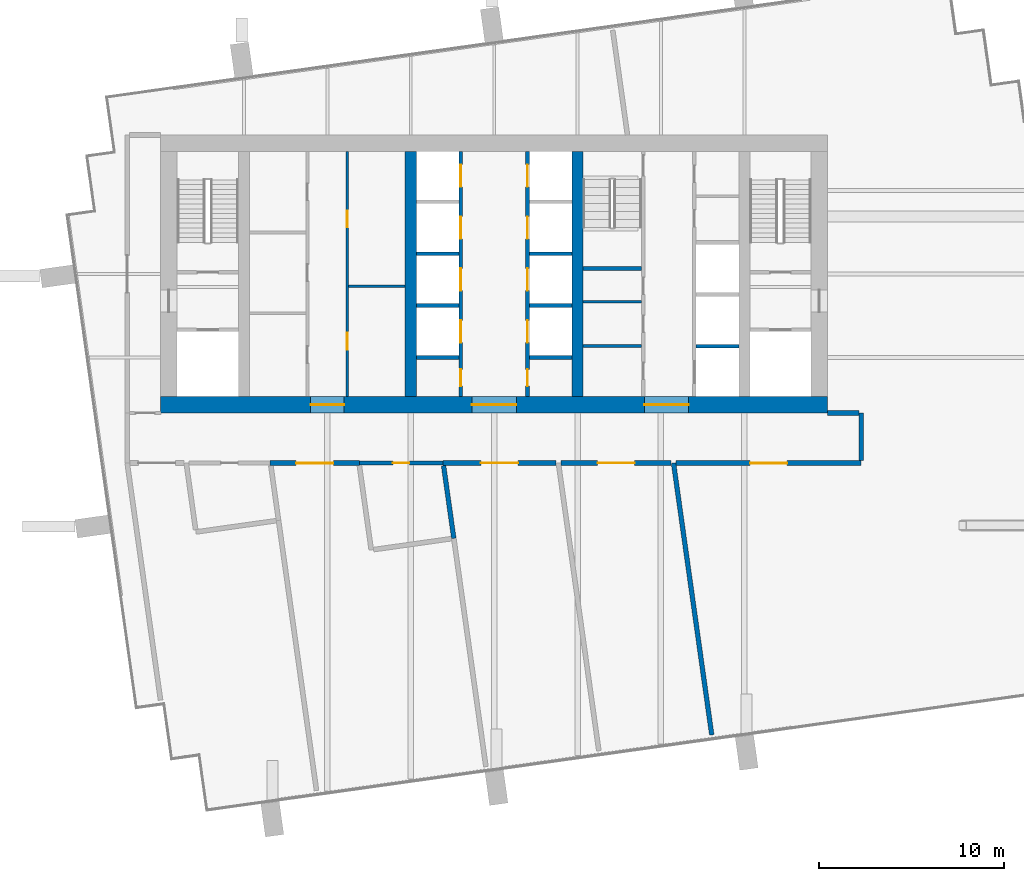
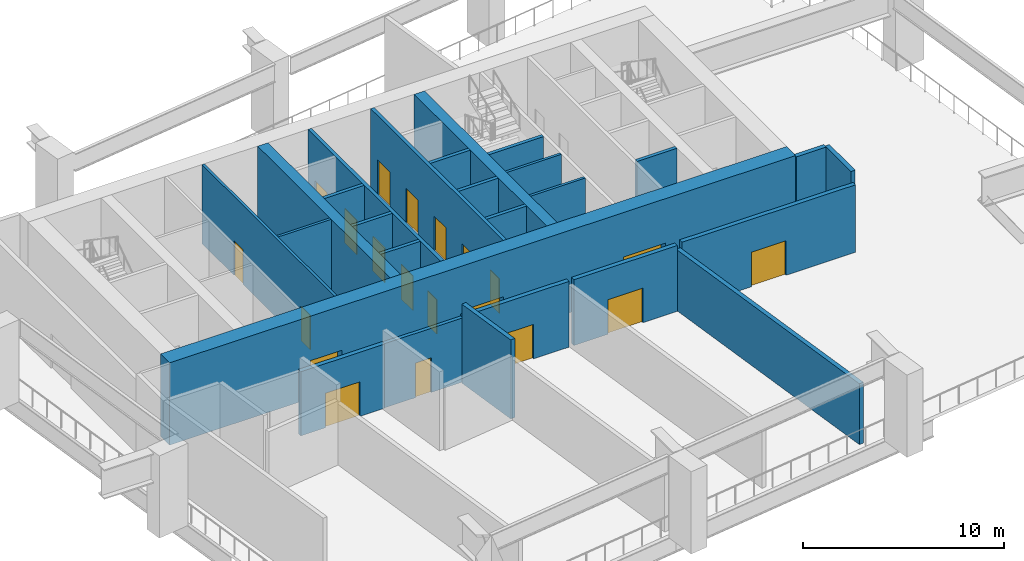
# One storey, part 3 of 10: 26 walls, 20 doors, 20 openings.
"""IFC4 building model written with IfcOpenShell, lengths in metres."""

from ifc_helpers import new_model, si_unit, direction, frame, frame_2d, origin, place, context, subcontext, project, spatial, rectangle, extrude, material, layer, layer_set, type_object, element, fill, save


model = new_model("IFC4")

# Units and contexts
model_context = context("Model", 3, precision=1e-05, world=origin(), true_north=direction((0.0, 1.0)))
body_context = subcontext(model_context, "Body", "Model", "MODEL_VIEW")
ifc_project = project(units=[si_unit("LENGTHUNIT", "METRE"), si_unit("AREAUNIT", "SQUARE_METRE"), si_unit("VOLUMEUNIT", "CUBIC_METRE"), si_unit("PLANEANGLEUNIT", "RADIAN"), si_unit("MASSUNIT", "GRAM", prefix="KILO")], contexts=[model_context])

# Site, building, storey
site_placement = place(None, origin())
site = spatial("IfcSite", under=ifc_project, at=site_placement, CompositionType="ELEMENT")
building_placement = place(site_placement, origin())
building = spatial("IfcBuilding", under=site, at=building_placement, Name="Rattan Terrace Tower", CompositionType="ELEMENT")
storey_placement = place(building_placement, frame((0.0, 0.0, 244.699951171875)))
storey = spatial("IfcBuildingStorey", under=building, at=storey_placement, Name="L56", CompositionType="ELEMENT", Elevation=244.699951171875)

# Wall, openings, doors
ifc_material_1 = material(Name="Gypsum board partition")
ifc_layer_1 = layer(ifc_material_1, 0.14990234375)
ifc_layer_set_1 = layer_set([ifc_layer_1], Name="Core partition 150")
wall_type_1 = type_object("IfcWallType", Name="Core partition 150", PredefinedType="PARTITIONING", material=ifc_layer_set_1)
wall_1_placement = place(storey_placement, frame((-7.925048828125, -6.60009765625, 0.0), z_axis=(0.0, 0.0, 1.0), x_axis=(0.0, 1.0, 0.0)))
wall_1 = element("IfcWall", 1, at=wall_1_placement, inside=storey, type_object=wall_type_1, Name="Core room wall", PredefinedType="PARTITIONING", context=body_context, shape_type="SweptSolid", body=[
    extrude(rectangle(XDim=13.2001953125, YDim=0.14990234375, at=frame_2d((6.60009765625, 0.0))), origin(), (0.0, 0.0, 1.0), 4.800048828125),
])
opening_1_placement = place(wall_1_placement, frame((2.52001953125, 0.0, 0.0)))
opening_1 = element("IfcOpeningElement", 2, at=opening_1_placement, cuts=wall_1, Name="Opening L56-D008", PredefinedType="OPENING", context=body_context, shape_type="SweptSolid", body=[
    extrude(rectangle(XDim=0.89990234375, YDim=2.10009765625, at=frame_2d((0.449951171875, 1.050048828125))), frame((0.0, 0.08544921875, 0.0), z_axis=(0.0, -1.0, 0.0), x_axis=(1.0, 0.0, 0.0)), (0.0, 0.0, 1.0), 0.1708984375),
])
opening_2_placement = place(wall_1_placement, frame((9.1201171875, 0.0, 0.0)))
opening_2 = element("IfcOpeningElement", 3, at=opening_2_placement, cuts=wall_1, Name="Opening L56-D009", PredefinedType="OPENING", context=body_context, shape_type="SweptSolid", body=[
    extrude(rectangle(XDim=0.89990234375, YDim=2.10009765625, at=frame_2d((0.449951171875, 1.050048828125))), frame((0.0, 0.08544921875, 0.0), z_axis=(0.0, -1.0, 0.0), x_axis=(1.0, 0.0, 0.0)), (0.0, 0.0, 1.0), 0.1708984375),
])
ifc_material_2 = material(Name="Hollow-metal fire door leaf")
door_type_1 = type_object("IfcDoorType", Name="Core service room door 900", OperationType="NOTDEFINED", PredefinedType="DOOR", material=ifc_material_2)
door_1_placement = place(opening_1_placement, origin())
door_1 = element("IfcDoor", 4, at=door_1_placement, inside=storey, type_object=door_type_1, Name="Door L56-D008", OperationType="SINGLE_SWING_LEFT", OverallHeight=2.10009765625, OverallWidth=0.89990234375, PredefinedType="DOOR", context=body_context, shape_type="SweptSolid", body=[
    extrude(rectangle(XDim=0.89990234375, YDim=2.10009765625, at=frame_2d((0.449951171875, 1.050048828125))), frame((0.0, 0.02490234375, 0.0), z_axis=(0.0, -1.0, 0.0), x_axis=(1.0, 0.0, 0.0)), (0.0, 0.0, 1.0), 0.050048828125),
])
fill(opening_1, door_1)
door_2_placement = place(opening_2_placement, origin())
door_2 = element("IfcDoor", 5, at=door_2_placement, inside=storey, type_object=door_type_1, Name="Door L56-D009", OperationType="SINGLE_SWING_RIGHT", OverallHeight=2.10009765625, OverallWidth=0.89990234375, PredefinedType="DOOR", context=body_context, shape_type="SweptSolid", body=[
    extrude(rectangle(XDim=0.89990234375, YDim=2.10009765625, at=frame_2d((0.449951171875, 1.050048828125))), frame((0.0, 0.02490234375, 0.0), z_axis=(0.0, -1.0, 0.0), x_axis=(1.0, 0.0, 0.0)), (0.0, 0.0, 1.0), 0.050048828125),
])
fill(opening_2, door_2)

# Walls
wall_2_placement = place(storey_placement, frame((-7.85009765625, -0.659912109375, 0.0), z_axis=(0.0, 0.0, 1.0), x_axis=(1.0, 0.0, 0.0)))
element("IfcWall", 6, at=wall_2_placement, inside=storey, type_object=wall_type_1, Name="Core room wall", PredefinedType="PARTITIONING", context=body_context, shape_type="SweptSolid", body=[
    extrude(rectangle(XDim=3.050048828125, YDim=0.14990234375, at=frame_2d((1.52490234375, 0.0))), origin(), (0.0, 0.0, 1.0), 4.800048828125),
])
for number, where, z_axis, x_axis, name in (
    (7, (4.800048828125, -3.8798828125, 0.0), (0.0, 0.0, 1.0), (1.0, 0.0, 0.0), "Toilet wall"),
    (8, (4.800048828125, -1.5, 0.0), (0.0, 0.0, 1.0), (1.0, 0.0, 0.0), "Toilet wall"),
):
    element("IfcWall", number, at=place(storey_placement, frame(where, z_axis=z_axis, x_axis=x_axis)), inside=storey, type_object=wall_type_1, Name=name, PredefinedType="PARTITIONING", context=body_context, shape_type="SweptSolid", body=[
        extrude(rectangle(XDim=3.14990234375, YDim=0.14990234375, at=frame_2d((1.574951171875, 0.0))), origin(), (0.0, 0.0, 1.0), 4.800048828125),
    ])
ifc_material_3 = material(Name="Gypsum board partition")
ifc_layer_2 = layer(ifc_material_3, 0.199951171875)
ifc_layer_set_2 = layer_set([ifc_layer_2], Name="Core partition 200")
wall_type_2 = type_object("IfcWallType", Name="Core partition 200", PredefinedType="PARTITIONING", material=ifc_layer_set_2)
wall_3_placement = place(storey_placement, frame((4.800048828125, 0.300048828125, 0.0), z_axis=(0.0, 0.0, 1.0), x_axis=(1.0, 0.0, 0.0)))
element("IfcWall", 9, at=wall_3_placement, inside=storey, type_object=wall_type_2, Name="Stair enclosure wall", PredefinedType="PARTITIONING", context=body_context, shape_type="SweptSolid", body=[
    extrude(rectangle(XDim=3.14990234375, YDim=0.199951171875, at=frame_2d((1.574951171875, 0.0))), origin(), (0.0, 0.0, 1.0), 4.800048828125),
])

# Wall, openings, doors
ifc_material_4 = material(Name="Concrete C50/60", Category="concrete")
ifc_layer_3 = layer(ifc_material_4, 0.89990234375)
ifc_layer_set_3 = layer_set([ifc_layer_3], Name="Core ring wall 900 C50/60")
wall_type_3 = type_object("IfcWallType", Name="Core ring wall 900 C50/60", PredefinedType="SHEAR", material=ifc_layer_set_3)
wall_4_placement = place(storey_placement, frame((-18.0, -7.050048828125, -0.199951171875), z_axis=(0.0, 0.0, 1.0), x_axis=(1.0, 0.0, 0.0)))
wall_4 = element("IfcWall", 10, at=wall_4_placement, inside=storey, type_object=wall_type_3, Name="Rear core wall south", PredefinedType="SHEAR", context=body_context, shape_type="SweptSolid", body=[
    extrude(rectangle(XDim=36.0, YDim=0.89990234375, at=frame_2d((18.0, 0.0))), origin(), (0.0, 0.0, 1.0), 5.0),
])
opening_3_placement = place(wall_4_placement, frame((8.10009765625, 0.0, 0.199951171875)))
opening_3 = element("IfcOpeningElement", 11, at=opening_3_placement, cuts=wall_4, Name="Opening L56-D010", PredefinedType="OPENING", context=body_context, shape_type="SweptSolid", body=[
    extrude(rectangle(XDim=1.800048828125, YDim=2.10009765625, at=frame_2d((0.89990234375, 1.050048828125))), frame((0.0, 0.46044921875, 0.0), z_axis=(0.0, -1.0, 0.0), x_axis=(1.0, 0.0, 0.0)), (0.0, 0.0, 1.0), 0.9208984375),
])
opening_4_placement = place(wall_4_placement, frame((16.800048828125, 0.0, 0.199951171875)))
opening_4 = element("IfcOpeningElement", 12, at=opening_4_placement, cuts=wall_4, Name="Opening L56-D013", PredefinedType="OPENING", context=body_context, shape_type="SweptSolid", body=[
    extrude(rectangle(XDim=2.39990234375, YDim=2.10009765625, at=frame_2d((1.199951171875, 1.050048828125))), frame((0.0, 0.46044921875, 0.0), z_axis=(0.0, -1.0, 0.0), x_axis=(1.0, 0.0, 0.0)), (0.0, 0.0, 1.0), 0.9208984375),
])
opening_5_placement = place(wall_4_placement, frame((26.10009765625, 0.0, 0.199951171875)))
opening_5 = element("IfcOpeningElement", 13, at=opening_5_placement, cuts=wall_4, Name="Opening L56-D018", PredefinedType="OPENING", context=body_context, shape_type="SweptSolid", body=[
    extrude(rectangle(XDim=2.39990234375, YDim=2.10009765625, at=frame_2d((1.199951171875, 1.050048828125))), frame((0.0, 0.46044921875, 0.0), z_axis=(0.0, -1.0, 0.0), x_axis=(1.0, 0.0, 0.0)), (0.0, 0.0, 1.0), 0.9208984375),
])
ifc_material_5 = material(Name="Hollow-metal fire door leaf")
door_type_2 = type_object("IfcDoorType", Name="Core lift lobby door 2400", OperationType="NOTDEFINED", PredefinedType="DOOR", material=ifc_material_5)
door_3_placement = place(opening_4_placement, origin())
door_3 = element("IfcDoor", 14, at=door_3_placement, inside=storey, type_object=door_type_2, Name="Door L56-D013", OperationType="DOUBLE_DOOR_DOUBLE_SWING", OverallHeight=2.10009765625, OverallWidth=2.39990234375, PredefinedType="DOOR", context=body_context, shape_type="SweptSolid", body=[
    extrude(rectangle(XDim=2.39990234375, YDim=2.10009765625, at=frame_2d((1.199951171875, 1.050048828125))), frame((0.0, 0.02490234375, 0.0), z_axis=(0.0, -1.0, 0.0), x_axis=(1.0, 0.0, 0.0)), (0.0, 0.0, 1.0), 0.050048828125),
])
fill(opening_4, door_3)
door_4_placement = place(opening_5_placement, origin())
door_4 = element("IfcDoor", 15, at=door_4_placement, inside=storey, type_object=door_type_2, Name="Door L56-D018", OperationType="DOUBLE_DOOR_DOUBLE_SWING", OverallHeight=2.10009765625, OverallWidth=2.39990234375, PredefinedType="DOOR", context=body_context, shape_type="SweptSolid", body=[
    extrude(rectangle(XDim=2.39990234375, YDim=2.10009765625, at=frame_2d((1.199951171875, 1.050048828125))), frame((0.0, 0.02490234375, 0.0), z_axis=(0.0, -1.0, 0.0), x_axis=(1.0, 0.0, 0.0)), (0.0, 0.0, 1.0), 0.050048828125),
])
fill(opening_5, door_4)
ifc_material_6 = material(Name="Hollow-metal fire door leaf")
door_type_3 = type_object("IfcDoorType", Name="Core service room door 1800", OperationType="NOTDEFINED", PredefinedType="DOOR", material=ifc_material_6)
door_5_placement = place(opening_3_placement, origin())
door_5 = element("IfcDoor", 16, at=door_5_placement, inside=storey, type_object=door_type_3, Name="Door L56-D010", OperationType="SINGLE_SWING_LEFT", OverallHeight=2.10009765625, OverallWidth=1.800048828125, PredefinedType="DOOR", context=body_context, shape_type="SweptSolid", body=[
    extrude(rectangle(XDim=1.800048828125, YDim=2.10009765625, at=frame_2d((0.89990234375, 1.050048828125))), frame((0.0, 0.02490234375, 0.0), z_axis=(0.0, -1.0, 0.0), x_axis=(1.0, 0.0, 0.0)), (0.0, 0.0, 1.0), 0.050048828125),
])
fill(opening_3, door_5)

# Walls
ifc_material_7 = material(Name="Concrete C50/60", Category="concrete")
ifc_layer_4 = layer(ifc_material_7, 0.60009765625)
ifc_layer_set_4 = layer_set([ifc_layer_4], Name="Core spine wall 600 C50/60")
wall_type_4 = type_object("IfcWallType", Name="Core spine wall 600 C50/60", PredefinedType="SHEAR", material=ifc_layer_set_4)
for number, where, z_axis, x_axis, name in (
    (17, (-4.5, -6.60009765625, -0.199951171875), (0.0, 0.0, 1.0), (0.0, 1.0, 0.0), "Core spine wall 2"),
    (18, (4.5, -6.60009765625, -0.199951171875), (0.0, 0.0, 1.0), (0.0, 1.0, 0.0), "Core spine wall 3"),
):
    element("IfcWall", number, at=place(storey_placement, frame(where, z_axis=z_axis, x_axis=x_axis)), inside=storey, type_object=wall_type_4, Name=name, PredefinedType="SHEAR", context=body_context, shape_type="SweptSolid", body=[
        extrude(rectangle(XDim=13.2001953125, YDim=0.60009765625, at=frame_2d((6.60009765625, 0.0))), origin(), (0.0, 0.0, 1.0), 5.0),
    ])

# Wall, opening, door
ifc_material_8 = material(Name="Concrete block wall, plastered", Category="concrete")
ifc_layer_5 = layer(ifc_material_8, 0.199951171875)
ifc_layer_set_5 = layer_set([ifc_layer_5], Name="Floors Plant Wall 200")
wall_type_5 = type_object("IfcWallType", Name="Floors Plant Wall 200", PredefinedType="PARTITIONING", material=ifc_layer_set_5)
wall_5_placement = place(storey_placement, frame((-2.76806640625, -10.198974609375, 0.0), z_axis=(0.0, 0.0, 1.0), x_axis=(-1.0, 0.0, 0.0)))
wall_5 = element("IfcWall", 19, at=wall_5_placement, inside=storey, type_object=wall_type_5, Name="pt-L56-004", PredefinedType="PARTITIONING", context=body_context, shape_type="SweptSolid", body=[
    extrude(rectangle(XDim=4.50390625, YDim=0.199951171875, at=frame_2d((2.251953125, 0.0))), origin(), (0.0, 0.0, 1.0), 3.900146484375),
])
opening_6_placement = place(wall_5_placement, frame((1.802001953125, 0.0, 0.0)))
opening_6 = element("IfcOpeningElement", 20, at=opening_6_placement, cuts=wall_5, Name="Opening L56-D103", PredefinedType="OPENING", context=body_context, shape_type="SweptSolid", body=[
    extrude(rectangle(XDim=0.89990234375, YDim=2.10009765625, at=frame_2d((0.449951171875, 1.050048828125))), frame((0.0, 0.110595703125, 0.0), z_axis=(0.0, -1.0, 0.0), x_axis=(1.0, 0.0, 0.0)), (0.0, 0.0, 1.0), 0.220947265625),
])
ifc_material_9 = material(Name="Steel fire door set", Category="steel")
door_type_4 = type_object("IfcDoorType", Name="Floors Fire Door FD60 900x2100", OperationType="NOTDEFINED", PredefinedType="DOOR", material=ifc_material_9)
door_6_placement = place(opening_6_placement, origin())
door_6 = element("IfcDoor", 21, at=door_6_placement, inside=storey, type_object=door_type_4, Name="d-L56-103", OperationType="SINGLE_SWING_RIGHT", OverallHeight=2.10009765625, OverallWidth=0.89990234375, PredefinedType="DOOR", context=body_context, shape_type="SweptSolid", body=[
    extrude(rectangle(XDim=0.89990234375, YDim=2.10009765625, at=frame_2d((0.449951171875, 1.050048828125))), frame((0.0, 0.02490234375, 0.0), z_axis=(0.0, -1.0, 0.0), x_axis=(1.0, 0.0, 0.0)), (0.0, 0.0, 1.0), 0.050048828125),
])
fill(opening_6, door_6)

ifc_material_10 = material(Name="Reinforced concrete wall, painted", Category="concrete")
ifc_layer_6 = layer(ifc_material_10, 0.25)
ifc_layer_set_6 = layer_set([ifc_layer_6], Name="Floors Refuge Wall 250")
wall_type_6 = type_object("IfcWallType", Name="Floors Refuge Wall 250", PredefinedType="PARTITIONING", material=ifc_layer_set_6)
wall_6_placement = place(storey_placement, frame((-7.27197265625, -10.199951171875, 0.0), z_axis=(0.0, 0.0, 1.0), x_axis=(-1.0, 0.0, 0.0)))
wall_6 = element("IfcWall", 22, at=wall_6_placement, inside=storey, type_object=wall_type_6, Name="pt-L56-005", PredefinedType="PARTITIONING", context=body_context, shape_type="SweptSolid", body=[
    extrude(rectangle(XDim=4.817138671875, YDim=0.25, at=frame_2d((2.40869140625, 0.0))), origin(), (0.0, 0.0, 1.0), 3.900146484375),
])
opening_7_placement = place(wall_6_placement, frame((1.408935546875, 0.0, 0.0)))
opening_7 = element("IfcOpeningElement", 23, at=opening_7_placement, cuts=wall_6, Name="Opening L56-D104", PredefinedType="OPENING", context=body_context, shape_type="SweptSolid", body=[
    extrude(rectangle(XDim=2.0, YDim=2.10009765625, at=frame_2d((1.0, 1.050048828125))), frame((0.0, 0.135498046875, 0.0), z_axis=(0.0, -1.0, 0.0), x_axis=(1.0, 0.0, 0.0)), (0.0, 0.0, 1.0), 0.27099609375),
])
ifc_material_11 = material(Name="Steel fire door set", Category="steel")
door_type_5 = type_object("IfcDoorType", Name="Floors Plant Equipment Door Pair FD120 2000x2100", OperationType="NOTDEFINED", PredefinedType="DOOR", material=ifc_material_11)
door_7_placement = place(opening_7_placement, origin())
door_7 = element("IfcDoor", 24, at=door_7_placement, inside=storey, type_object=door_type_5, Name="d-L56-104", OperationType="DOUBLE_DOOR_SINGLE_SWING", OverallHeight=2.10009765625, OverallWidth=2.0, PredefinedType="DOOR", context=body_context, shape_type="SweptSolid", body=[
    extrude(rectangle(XDim=2.0, YDim=2.10009765625, at=frame_2d((1.0, 1.050048828125))), frame((0.0, 0.02490234375, 0.0), z_axis=(0.0, -1.0, 0.0), x_axis=(1.0, 0.0, 0.0)), (0.0, 0.0, 1.0), 0.050048828125),
])
fill(opening_7, door_7)

wall_7_placement = place(storey_placement, frame((3.343017578125, -10.198974609375, 0.0), z_axis=(0.0, 0.0, 1.0), x_axis=(-1.0, 0.0, 0.0)))
wall_7 = element("IfcWall", 25, at=wall_7_placement, inside=storey, type_object=wall_type_6, Name="pt-L56-006", PredefinedType="PARTITIONING", context=body_context, shape_type="SweptSolid", body=[
    extrude(rectangle(XDim=6.111083984375, YDim=0.25, at=frame_2d((3.0556640625, 0.0))), origin(), (0.0, 0.0, 1.0), 4.0),
])
opening_8_placement = place(wall_7_placement, frame((2.055908203125, 0.0, 0.0)))
opening_8 = element("IfcOpeningElement", 26, at=opening_8_placement, cuts=wall_7, Name="Opening L56-D105", PredefinedType="OPENING", context=body_context, shape_type="SweptSolid", body=[
    extrude(rectangle(XDim=2.0, YDim=2.10009765625, at=frame_2d((1.0, 1.050048828125))), frame((0.0, 0.135498046875, 0.0), z_axis=(0.0, -1.0, 0.0), x_axis=(1.0, 0.0, 0.0)), (0.0, 0.0, 1.0), 0.27099609375),
])
door_8_placement = place(opening_8_placement, origin())
door_8 = element("IfcDoor", 27, at=door_8_placement, inside=storey, type_object=door_type_5, Name="d-L56-105", OperationType="DOUBLE_DOOR_SINGLE_SWING", OverallHeight=2.10009765625, OverallWidth=2.0, PredefinedType="DOOR", context=body_context, shape_type="SweptSolid", body=[
    extrude(rectangle(XDim=2.0, YDim=2.10009765625, at=frame_2d((1.0, 1.050048828125))), frame((0.0, 0.02490234375, 0.0), z_axis=(0.0, -1.0, 0.0), x_axis=(1.0, 0.0, 0.0)), (0.0, 0.0, 1.0), 0.050048828125),
])
fill(opening_8, door_8)

wall_8_placement = place(storey_placement, frame((9.555908203125, -10.198974609375, 0.0), z_axis=(0.0, 0.0, 1.0), x_axis=(-1.0, 0.0, 0.0)))
wall_8 = element("IfcWall", 28, at=wall_8_placement, inside=storey, type_object=wall_type_6, Name="pt-L56-007", PredefinedType="PARTITIONING", context=body_context, shape_type="SweptSolid", body=[
    extrude(rectangle(XDim=5.94482421875, YDim=0.25, at=frame_2d((2.972412109375, 0.0))), origin(), (0.0, 0.0, 1.0), 4.0),
])
opening_9_placement = place(wall_8_placement, frame((1.972900390625, 0.0, 0.0)))
opening_9 = element("IfcOpeningElement", 29, at=opening_9_placement, cuts=wall_8, Name="Opening L56-D106", PredefinedType="OPENING", context=body_context, shape_type="SweptSolid", body=[
    extrude(rectangle(XDim=2.0, YDim=2.10009765625, at=frame_2d((1.0, 1.050048828125))), frame((0.0, 0.135498046875, 0.0), z_axis=(0.0, -1.0, 0.0), x_axis=(1.0, 0.0, 0.0)), (0.0, 0.0, 1.0), 0.27099609375),
])
door_9_placement = place(opening_9_placement, origin())
door_9 = element("IfcDoor", 30, at=door_9_placement, inside=storey, type_object=door_type_5, Name="d-L56-106", OperationType="DOUBLE_DOOR_SINGLE_SWING", OverallHeight=2.10009765625, OverallWidth=2.0, PredefinedType="DOOR", context=body_context, shape_type="SweptSolid", body=[
    extrude(rectangle(XDim=2.0, YDim=2.10009765625, at=frame_2d((1.0, 1.050048828125))), frame((0.0, 0.02490234375, 0.0), z_axis=(0.0, -1.0, 0.0), x_axis=(1.0, 0.0, 0.0)), (0.0, 0.0, 1.0), 0.050048828125),
])
fill(opening_9, door_9)

# Wall
wall_9_placement = place(storey_placement, frame((17.97998046875, -7.498046875, 0.0), z_axis=(0.0, 0.0, 1.0), x_axis=(1.0, 0.0, 0.0)))
element("IfcWall", 31, at=wall_9_placement, inside=storey, type_object=wall_type_6, Name="pt-L56-008", PredefinedType="PARTITIONING", context=body_context, shape_type="SweptSolid", body=[
    extrude(rectangle(XDim=1.696044921875, YDim=0.25, at=frame_2d((0.84814453125, 0.0))), origin(), (0.0, 0.0, 1.0), 4.800048828125),
])

# Wall, opening, door
wall_10_placement = place(storey_placement, frame((19.800048828125, -10.199951171875, 0.0), z_axis=(0.0, 0.0, 1.0), x_axis=(-1.0, 0.0, 0.0)))
wall_10 = element("IfcWall", 32, at=wall_10_placement, inside=storey, type_object=wall_type_6, Name="pt-L56-009", PredefinedType="PARTITIONING", context=body_context, shape_type="SweptSolid", body=[
    extrude(rectangle(XDim=9.97607421875, YDim=0.25, at=frame_2d((4.988037109375, 0.0))), origin(), (0.0, 0.0, 1.0), 4.10009765625),
])
opening_10_placement = place(wall_10_placement, frame((3.988037109375, 0.0, 0.0)))
opening_10 = element("IfcOpeningElement", 33, at=opening_10_placement, cuts=wall_10, Name="Opening L56-D107", PredefinedType="OPENING", context=body_context, shape_type="SweptSolid", body=[
    extrude(rectangle(XDim=2.0, YDim=2.10009765625, at=frame_2d((1.0, 1.050048828125))), frame((0.0, 0.135498046875, 0.0), z_axis=(0.0, -1.0, 0.0), x_axis=(1.0, 0.0, 0.0)), (0.0, 0.0, 1.0), 0.27099609375),
])
door_10_placement = place(opening_10_placement, origin())
door_10 = element("IfcDoor", 34, at=door_10_placement, inside=storey, type_object=door_type_5, Name="d-L56-107", OperationType="DOUBLE_DOOR_SINGLE_SWING", OverallHeight=2.10009765625, OverallWidth=2.0, PredefinedType="DOOR", context=body_context, shape_type="SweptSolid", body=[
    extrude(rectangle(XDim=2.0, YDim=2.10009765625, at=frame_2d((1.0, 1.050048828125))), frame((0.0, 0.02490234375, 0.0), z_axis=(0.0, -1.0, 0.0), x_axis=(1.0, 0.0, 0.0)), (0.0, 0.0, 1.0), 0.050048828125),
])
fill(opening_10, door_10)

# Walls
wall_11_placement = place(storey_placement, frame((19.801025390625, -7.5, 0.0), z_axis=(0.0, 0.0, 1.0), x_axis=(0.0, -1.0, 0.0)))
element("IfcWall", 35, at=wall_11_placement, inside=storey, type_object=wall_type_6, Name="pt-L56-010", PredefinedType="PARTITIONING", context=body_context, shape_type="SweptSolid", body=[
    extrude(rectangle(XDim=2.574951171875, YDim=0.25, at=frame_2d((1.28759765625, 0.0))), origin(), (0.0, 0.0, 1.0), 4.800048828125),
])
wall_12_placement = place(storey_placement, frame((-2.72802734375, -10.342041015625, 0.0), z_axis=(0.0, 0.0, 1.0), x_axis=(0.139167912631, -0.9902687979, 0.0)))
element("IfcWall", 36, at=wall_12_placement, inside=storey, type_object=wall_type_6, Name="pt-L56-021", PredefinedType="PARTITIONING", context=body_context, shape_type="SweptSolid", body=[
    extrude(rectangle(XDim=3.95947265625, YDim=0.25, at=frame_2d((1.979736328125, 0.0))), origin(), (0.0, 0.0, 1.0), 4.800048828125),
])
wall_13_placement = place(storey_placement, frame((9.679931640625, -10.199951171875, 0.0), z_axis=(0.0, 0.0, 1.0), x_axis=(0.139180851487, -0.990266979445, 0.0)))
element("IfcWall", 37, at=wall_13_placement, inside=storey, type_object=wall_type_6, Name="pt-L56-024", PredefinedType="PARTITIONING", context=body_context, shape_type="SweptSolid", body=[
    extrude(rectangle(XDim=14.8154296875, YDim=0.25, at=frame_2d((7.40771484375, 0.0))), origin(), (0.0, 0.0, 1.0), 3.699951171875),
])

# Wall, openings, doors
ifc_material_12 = material(Name="Gypsum shaft wall system")
ifc_layer_7 = layer(ifc_material_12, 0.199951171875)
ifc_layer_set_7 = layer_set([ifc_layer_7], Name="Lift shaft wall 200")
wall_type_7 = type_object("IfcWallType", Name="Lift shaft wall 200", PredefinedType="PARTITIONING", material=ifc_layer_set_7)
wall_14_placement = place(storey_placement, frame((-1.800048828125, -6.60009765625, 0.0), z_axis=(0.0, 0.0, 1.0), x_axis=(0.0, 1.0, 0.0)))
wall_14 = element("IfcWall", 38, at=wall_14_placement, inside=storey, type_object=wall_type_7, Name="Lift shaft front wall", PredefinedType="PARTITIONING", context=body_context, shape_type="SweptSolid", body=[
    extrude(rectangle(XDim=13.2001953125, YDim=0.199951171875, at=frame_2d((6.60009765625, 0.0))), origin(), (0.0, 0.0, 1.0), 4.800048828125),
])
opening_11_placement = place(wall_14_placement, frame((0.550048828125, 0.0, 0.0)))
opening_11 = element("IfcOpeningElement", 39, at=opening_11_placement, cuts=wall_14, Name="Opening L56-D011", PredefinedType="OPENING", context=body_context, shape_type="SweptSolid", body=[
    extrude(rectangle(XDim=0.89990234375, YDim=2.10009765625, at=frame_2d((0.449951171875, 1.050048828125))), frame((0.0, 0.110595703125, 0.0), z_axis=(0.0, -1.0, 0.0), x_axis=(1.0, 0.0, 0.0)), (0.0, 0.0, 1.0), 0.220947265625),
])
opening_12_placement = place(wall_14_placement, frame((2.89990234375, 0.0, 0.0)))
opening_12 = element("IfcOpeningElement", 40, at=opening_12_placement, cuts=wall_14, Name="Opening L56-LD-HR1", PredefinedType="OPENING", context=body_context, shape_type="SweptSolid", body=[
    extrude(rectangle(XDim=1.199951171875, YDim=2.10009765625, at=frame_2d((0.60009765625, 1.050048828125))), frame((0.0, 0.110595703125, 0.0), z_axis=(0.0, -1.0, 0.0), x_axis=(1.0, 0.0, 0.0)), (0.0, 0.0, 1.0), 0.220947265625),
])
opening_13_placement = place(wall_14_placement, frame((5.699951171875, 0.0, 0.0)))
opening_13 = element("IfcOpeningElement", 41, at=opening_13_placement, cuts=wall_14, Name="Opening L56-LD-HR2", PredefinedType="OPENING", context=body_context, shape_type="SweptSolid", body=[
    extrude(rectangle(XDim=1.199951171875, YDim=2.10009765625, at=frame_2d((0.60009765625, 1.050048828125))), frame((0.0, 0.110595703125, 0.0), z_axis=(0.0, -1.0, 0.0), x_axis=(1.0, 0.0, 0.0)), (0.0, 0.0, 1.0), 0.220947265625),
])
opening_14_placement = place(wall_14_placement, frame((8.5, 0.0, 0.0)))
opening_14 = element("IfcOpeningElement", 42, at=opening_14_placement, cuts=wall_14, Name="Opening L56-LD-HR3", PredefinedType="OPENING", context=body_context, shape_type="SweptSolid", body=[
    extrude(rectangle(XDim=1.199951171875, YDim=2.10009765625, at=frame_2d((0.60009765625, 1.050048828125))), frame((0.0, 0.110595703125, 0.0), z_axis=(0.0, -1.0, 0.0), x_axis=(1.0, 0.0, 0.0)), (0.0, 0.0, 1.0), 0.220947265625),
])
opening_15_placement = place(wall_14_placement, frame((11.300048828125, 0.0, 0.0)))
opening_15 = element("IfcOpeningElement", 43, at=opening_15_placement, cuts=wall_14, Name="Opening L56-LD-HR4", PredefinedType="OPENING", context=body_context, shape_type="SweptSolid", body=[
    extrude(rectangle(XDim=1.199951171875, YDim=2.10009765625, at=frame_2d((0.60009765625, 1.050048828125))), frame((0.0, 0.110595703125, 0.0), z_axis=(0.0, -1.0, 0.0), x_axis=(1.0, 0.0, 0.0)), (0.0, 0.0, 1.0), 0.220947265625),
])
ifc_material_13 = material(Name="Brushed stainless landing door panel")
door_type_6 = type_object("IfcDoorType", Name="Core lift landing door 1200", OperationType="DOUBLE_DOOR_SLIDING", PredefinedType="DOOR", material=ifc_material_13)
door_11_placement = place(opening_12_placement, origin())
door_11 = element("IfcDoor", 44, at=door_11_placement, inside=storey, type_object=door_type_6, Name="Door L56-LD-HR1", OperationType="DOUBLE_DOOR_SLIDING", OverallHeight=2.10009765625, OverallWidth=1.199951171875, PredefinedType="DOOR", context=body_context, shape_type="SweptSolid", body=[
    extrude(rectangle(XDim=1.199951171875, YDim=2.10009765625, at=frame_2d((0.60009765625, 1.050048828125))), frame((0.0, 0.02490234375, 0.0), z_axis=(0.0, -1.0, 0.0), x_axis=(1.0, 0.0, 0.0)), (0.0, 0.0, 1.0), 0.050048828125),
])
fill(opening_12, door_11)
door_12_placement = place(opening_13_placement, origin())
door_12 = element("IfcDoor", 45, at=door_12_placement, inside=storey, type_object=door_type_6, Name="Door L56-LD-HR2", OperationType="DOUBLE_DOOR_SLIDING", OverallHeight=2.10009765625, OverallWidth=1.199951171875, PredefinedType="DOOR", context=body_context, shape_type="SweptSolid", body=[
    extrude(rectangle(XDim=1.199951171875, YDim=2.10009765625, at=frame_2d((0.60009765625, 1.050048828125))), frame((0.0, 0.02490234375, 0.0), z_axis=(0.0, -1.0, 0.0), x_axis=(1.0, 0.0, 0.0)), (0.0, 0.0, 1.0), 0.050048828125),
])
fill(opening_13, door_12)
door_13_placement = place(opening_14_placement, origin())
door_13 = element("IfcDoor", 46, at=door_13_placement, inside=storey, type_object=door_type_6, Name="Door L56-LD-HR3", OperationType="DOUBLE_DOOR_SLIDING", OverallHeight=2.10009765625, OverallWidth=1.199951171875, PredefinedType="DOOR", context=body_context, shape_type="SweptSolid", body=[
    extrude(rectangle(XDim=1.199951171875, YDim=2.10009765625, at=frame_2d((0.60009765625, 1.050048828125))), frame((0.0, 0.02490234375, 0.0), z_axis=(0.0, -1.0, 0.0), x_axis=(1.0, 0.0, 0.0)), (0.0, 0.0, 1.0), 0.050048828125),
])
fill(opening_14, door_13)
door_14_placement = place(opening_15_placement, origin())
door_14 = element("IfcDoor", 47, at=door_14_placement, inside=storey, type_object=door_type_6, Name="Door L56-LD-HR4", OperationType="DOUBLE_DOOR_SLIDING", OverallHeight=2.10009765625, OverallWidth=1.199951171875, PredefinedType="DOOR", context=body_context, shape_type="SweptSolid", body=[
    extrude(rectangle(XDim=1.199951171875, YDim=2.10009765625, at=frame_2d((0.60009765625, 1.050048828125))), frame((0.0, 0.02490234375, 0.0), z_axis=(0.0, -1.0, 0.0), x_axis=(1.0, 0.0, 0.0)), (0.0, 0.0, 1.0), 0.050048828125),
])
fill(opening_15, door_14)
ifc_material_14 = material(Name="Hollow-metal fire door leaf")
door_type_7 = type_object("IfcDoorType", Name="Core riser door 900", OperationType="NOTDEFINED", PredefinedType="DOOR", material=ifc_material_14)
door_15_placement = place(opening_11_placement, origin())
door_15 = element("IfcDoor", 48, at=door_15_placement, inside=storey, type_object=door_type_7, Name="Door L56-D011", OperationType="SINGLE_SWING_RIGHT", OverallHeight=2.10009765625, OverallWidth=0.89990234375, PredefinedType="DOOR", context=body_context, shape_type="SweptSolid", body=[
    extrude(rectangle(XDim=0.89990234375, YDim=2.10009765625, at=frame_2d((0.449951171875, 1.050048828125))), frame((0.0, 0.02490234375, 0.0), z_axis=(0.0, -1.0, 0.0), x_axis=(1.0, 0.0, 0.0)), (0.0, 0.0, 1.0), 0.050048828125),
])
fill(opening_11, door_15)

wall_15_placement = place(storey_placement, frame((1.800048828125, -6.60009765625, 0.0), z_axis=(0.0, 0.0, 1.0), x_axis=(0.0, 1.0, 0.0)))
wall_15 = element("IfcWall", 49, at=wall_15_placement, inside=storey, type_object=wall_type_7, Name="Lift shaft front wall", PredefinedType="PARTITIONING", context=body_context, shape_type="SweptSolid", body=[
    extrude(rectangle(XDim=13.2001953125, YDim=0.199951171875, at=frame_2d((6.60009765625, 0.0))), origin(), (0.0, 0.0, 1.0), 4.800048828125),
])
opening_16_placement = place(wall_15_placement, frame((0.550048828125, 0.0, 0.0)))
opening_16 = element("IfcOpeningElement", 50, at=opening_16_placement, cuts=wall_15, Name="Opening L56-D012", PredefinedType="OPENING", context=body_context, shape_type="SweptSolid", body=[
    extrude(rectangle(XDim=0.89990234375, YDim=2.10009765625, at=frame_2d((0.449951171875, 1.050048828125))), frame((0.0, 0.110595703125, 0.0), z_axis=(0.0, -1.0, 0.0), x_axis=(1.0, 0.0, 0.0)), (0.0, 0.0, 1.0), 0.220947265625),
])
opening_17_placement = place(wall_15_placement, frame((2.89990234375, 0.0, 0.0)))
opening_17 = element("IfcOpeningElement", 51, at=opening_17_placement, cuts=wall_15, Name="Opening L56-LD-HR5", PredefinedType="OPENING", context=body_context, shape_type="SweptSolid", body=[
    extrude(rectangle(XDim=1.199951171875, YDim=2.10009765625, at=frame_2d((0.60009765625, 1.050048828125))), frame((0.0, 0.110595703125, 0.0), z_axis=(0.0, -1.0, 0.0), x_axis=(1.0, 0.0, 0.0)), (0.0, 0.0, 1.0), 0.220947265625),
])
opening_18_placement = place(wall_15_placement, frame((5.699951171875, 0.0, 0.0)))
opening_18 = element("IfcOpeningElement", 52, at=opening_18_placement, cuts=wall_15, Name="Opening L56-LD-HR6", PredefinedType="OPENING", context=body_context, shape_type="SweptSolid", body=[
    extrude(rectangle(XDim=1.199951171875, YDim=2.10009765625, at=frame_2d((0.60009765625, 1.050048828125))), frame((0.0, 0.110595703125, 0.0), z_axis=(0.0, -1.0, 0.0), x_axis=(1.0, 0.0, 0.0)), (0.0, 0.0, 1.0), 0.220947265625),
])
opening_19_placement = place(wall_15_placement, frame((8.5, 0.0, 0.0)))
opening_19 = element("IfcOpeningElement", 53, at=opening_19_placement, cuts=wall_15, Name="Opening L56-LD-HR7", PredefinedType="OPENING", context=body_context, shape_type="SweptSolid", body=[
    extrude(rectangle(XDim=1.199951171875, YDim=2.10009765625, at=frame_2d((0.60009765625, 1.050048828125))), frame((0.0, 0.110595703125, 0.0), z_axis=(0.0, -1.0, 0.0), x_axis=(1.0, 0.0, 0.0)), (0.0, 0.0, 1.0), 0.220947265625),
])
opening_20_placement = place(wall_15_placement, frame((11.300048828125, 0.0, 0.0)))
opening_20 = element("IfcOpeningElement", 54, at=opening_20_placement, cuts=wall_15, Name="Opening L56-LD-HR8", PredefinedType="OPENING", context=body_context, shape_type="SweptSolid", body=[
    extrude(rectangle(XDim=1.199951171875, YDim=2.10009765625, at=frame_2d((0.60009765625, 1.050048828125))), frame((0.0, 0.110595703125, 0.0), z_axis=(0.0, -1.0, 0.0), x_axis=(1.0, 0.0, 0.0)), (0.0, 0.0, 1.0), 0.220947265625),
])
door_16_placement = place(opening_17_placement, origin())
door_16 = element("IfcDoor", 55, at=door_16_placement, inside=storey, type_object=door_type_6, Name="Door L56-LD-HR5", OperationType="DOUBLE_DOOR_SLIDING", OverallHeight=2.10009765625, OverallWidth=1.199951171875, PredefinedType="DOOR", context=body_context, shape_type="SweptSolid", body=[
    extrude(rectangle(XDim=1.199951171875, YDim=2.10009765625, at=frame_2d((0.60009765625, 1.050048828125))), frame((0.0, 0.02490234375, 0.0), z_axis=(0.0, -1.0, 0.0), x_axis=(1.0, 0.0, 0.0)), (0.0, 0.0, 1.0), 0.050048828125),
])
fill(opening_17, door_16)
door_17_placement = place(opening_18_placement, origin())
door_17 = element("IfcDoor", 56, at=door_17_placement, inside=storey, type_object=door_type_6, Name="Door L56-LD-HR6", OperationType="DOUBLE_DOOR_SLIDING", OverallHeight=2.10009765625, OverallWidth=1.199951171875, PredefinedType="DOOR", context=body_context, shape_type="SweptSolid", body=[
    extrude(rectangle(XDim=1.199951171875, YDim=2.10009765625, at=frame_2d((0.60009765625, 1.050048828125))), frame((0.0, 0.02490234375, 0.0), z_axis=(0.0, -1.0, 0.0), x_axis=(1.0, 0.0, 0.0)), (0.0, 0.0, 1.0), 0.050048828125),
])
fill(opening_18, door_17)
door_18_placement = place(opening_19_placement, origin())
door_18 = element("IfcDoor", 57, at=door_18_placement, inside=storey, type_object=door_type_6, Name="Door L56-LD-HR7", OperationType="DOUBLE_DOOR_SLIDING", OverallHeight=2.10009765625, OverallWidth=1.199951171875, PredefinedType="DOOR", context=body_context, shape_type="SweptSolid", body=[
    extrude(rectangle(XDim=1.199951171875, YDim=2.10009765625, at=frame_2d((0.60009765625, 1.050048828125))), frame((0.0, 0.02490234375, 0.0), z_axis=(0.0, -1.0, 0.0), x_axis=(1.0, 0.0, 0.0)), (0.0, 0.0, 1.0), 0.050048828125),
])
fill(opening_19, door_18)
door_19_placement = place(opening_20_placement, origin())
door_19 = element("IfcDoor", 58, at=door_19_placement, inside=storey, type_object=door_type_6, Name="Door L56-LD-HR8", OperationType="DOUBLE_DOOR_SLIDING", OverallHeight=2.10009765625, OverallWidth=1.199951171875, PredefinedType="DOOR", context=body_context, shape_type="SweptSolid", body=[
    extrude(rectangle(XDim=1.199951171875, YDim=2.10009765625, at=frame_2d((0.60009765625, 1.050048828125))), frame((0.0, 0.02490234375, 0.0), z_axis=(0.0, -1.0, 0.0), x_axis=(1.0, 0.0, 0.0)), (0.0, 0.0, 1.0), 0.050048828125),
])
fill(opening_20, door_19)
door_20_placement = place(opening_16_placement, origin())
door_20 = element("IfcDoor", 59, at=door_20_placement, inside=storey, type_object=door_type_7, Name="Door L56-D012", OperationType="SINGLE_SWING_LEFT", OverallHeight=2.10009765625, OverallWidth=0.89990234375, PredefinedType="DOOR", context=body_context, shape_type="SweptSolid", body=[
    extrude(rectangle(XDim=0.89990234375, YDim=2.10009765625, at=frame_2d((0.449951171875, 1.050048828125))), frame((0.0, 0.02490234375, 0.0), z_axis=(0.0, -1.0, 0.0), x_axis=(1.0, 0.0, 0.0)), (0.0, 0.0, 1.0), 0.050048828125),
])
fill(opening_16, door_20)

# Walls
for number, where, z_axis, x_axis, name in (
    (60, (-4.199951171875, -1.699951171875, 0.0), (0.0, 0.0, 1.0), (1.0, 0.0, 0.0), "Lift shaft wall"),
    (61, (-4.199951171875, 1.10009765625, 0.0), (0.0, 0.0, 1.0), (1.0, 0.0, 0.0), "Lift shaft wall"),
    (62, (-4.199951171875, -4.5, 0.0), (0.0, 0.0, 1.0), (1.0, 0.0, 0.0), "Lift shaft wall"),
    (63, (1.89990234375, -1.699951171875, 0.0), (0.0, 0.0, 1.0), (1.0, 0.0, 0.0), "Lift shaft wall"),
    (64, (1.89990234375, 1.10009765625, 0.0), (0.0, 0.0, 1.0), (1.0, 0.0, 0.0), "Lift shaft wall"),
    (65, (1.89990234375, -4.5, 0.0), (0.0, 0.0, 1.0), (1.0, 0.0, 0.0), "Lift shaft wall"),
    (66, (10.89990234375, -3.89990234375, 0.0), (0.0, 0.0, 1.0), (1.0, 0.0, 0.0), "Lift shaft wall"),
):
    element("IfcWall", number, at=place(storey_placement, frame(where, z_axis=z_axis, x_axis=x_axis)), inside=storey, type_object=wall_type_7, Name=name, PredefinedType="PARTITIONING", context=body_context, shape_type="SweptSolid", body=[
        extrude(rectangle(XDim=2.300048828125, YDim=0.199951171875, at=frame_2d((1.14990234375, 0.0))), origin(), (0.0, 0.0, 1.0), 4.800048828125),
    ])

save(model, "model.ifc")
